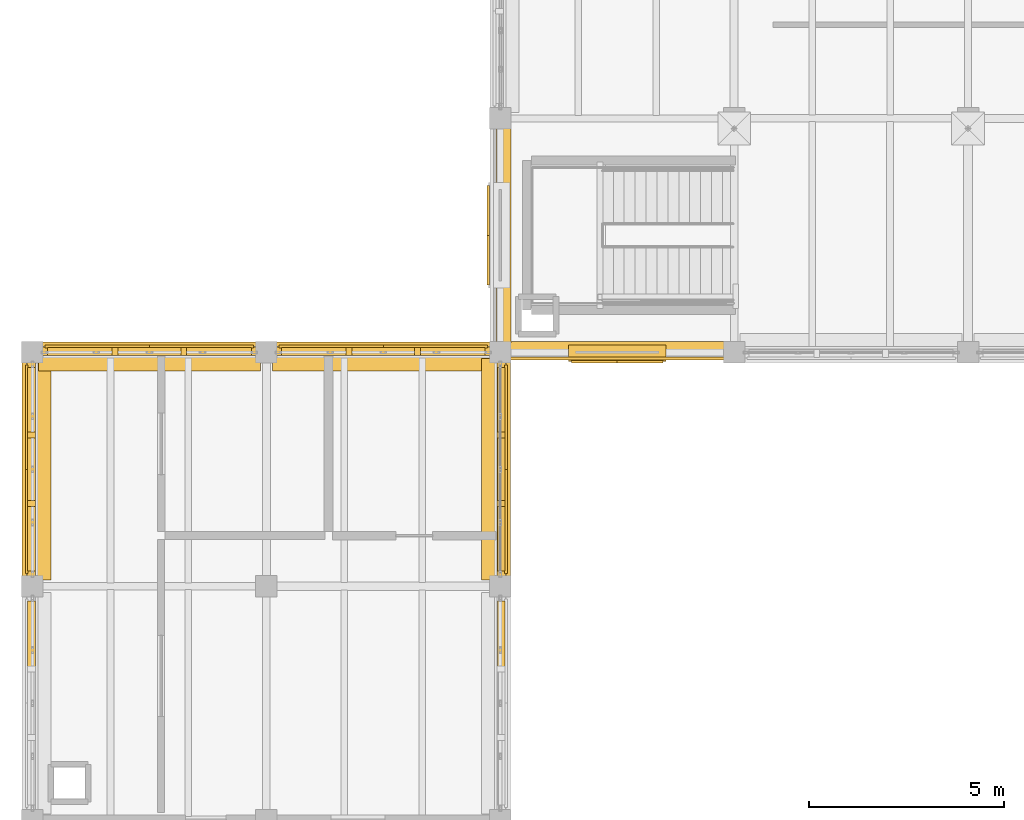
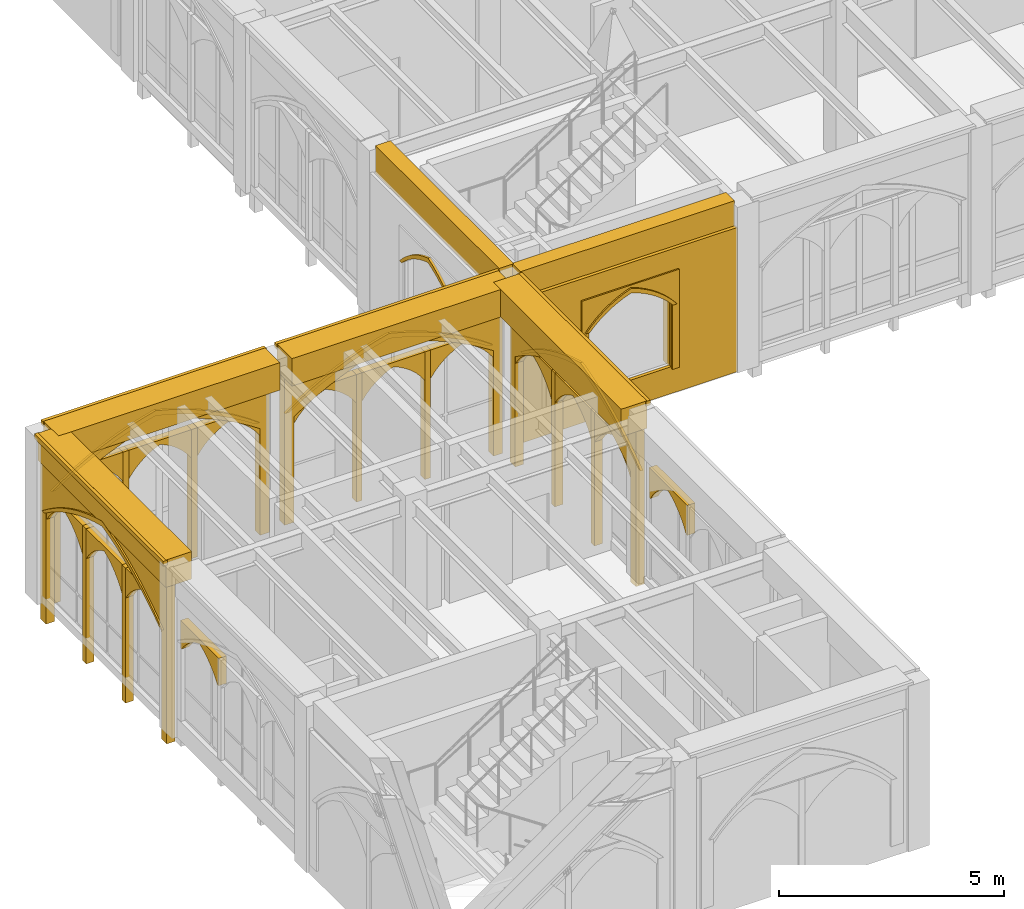
# One storey, part 89 of 108: 44 coverings.
"""IFC4 building model written with IfcOpenShell, lengths in metres."""

from ifc_helpers import new_model, si_unit, direction, frame, origin, origin_2d, place, context, subcontext, project, spatial, polyline, rectangle, outline, extrude, material, type_object, element, save


model = new_model("IFC4")

# Units and contexts
model_context = context("Model", 3, precision=1e-05, world=origin(), true_north=direction((0.0, 1.0)))
body_context = subcontext(model_context, "Body", "Model", "MODEL_VIEW")
ifc_project = project(units=[si_unit("LENGTHUNIT", "METRE"), si_unit("AREAUNIT", "SQUARE_METRE"), si_unit("VOLUMEUNIT", "CUBIC_METRE"), si_unit("PLANEANGLEUNIT", "RADIAN"), si_unit("MASSUNIT", "GRAM", prefix="KILO")], contexts=[model_context])

# Site, building, storey
site_placement = place(None, origin())
site = spatial("IfcSite", under=ifc_project, at=site_placement, CompositionType="ELEMENT")
building_placement = place(site_placement, origin())
building = spatial("IfcBuilding", under=site, at=building_placement, Name="Cumevento Cable Car Station", CompositionType="ELEMENT")
storey_placement = place(building_placement, frame((0.0, 0.0, 13.5)))
storey = spatial("IfcBuildingStorey", under=building, at=storey_placement, Name="L04", CompositionType="ELEMENT", Elevation=13.5)

# Coverings
ifc_material = material(Name="Gnaisse Facoidal Stone Ashlar 85 MPa", Category="masonry")
covering_type = type_object("IfcCoveringType", Name="Gnaisse Ashlar Cladding CV-CL01", PredefinedType="CLADDING", material=ifc_material)
covering_1_placement = place(storey_placement, frame((13.0, 44.85009765625, 3.821044921875), z_axis=(0.0, 0.0, 1.0), x_axis=(1.0, 0.0, 0.0)))
element("IfcCovering", 1, at=covering_1_placement, inside=storey, type_object=covering_type, Name="Gothic Stone Spandrel Stringcourse sc:0710", PredefinedType="CLADDING", context=body_context, shape_type="SweptSolid", body=[
    extrude(rectangle(XDim=5.68994140625, YDim=0.659912109375, at=origin_2d()), origin(), (0.0, 0.0, 1.0), 0.7470703125),
])
covering_2_placement = place(storey_placement, frame((13.0, 45.20751953125, 4.43798828125), z_axis=(0.0, 0.0, 1.0), x_axis=(1.0, 0.0, 0.0)))
element("IfcCovering", 2, at=covering_2_placement, inside=storey, type_object=covering_type, Name="Gothic Cornice Dripstone Lip sc:0710", PredefinedType="CLADDING", context=body_context, shape_type="SweptSolid", body=[
    extrude(rectangle(XDim=5.72998046875, YDim=0.114990234375, at=origin_2d()), origin(), (0.0, 0.0, 1.0), 0.1298828125),
])
covering_3_placement = place(storey_placement, frame((19.0, 44.85009765625, 3.821044921875), z_axis=(0.0, 0.0, 1.0), x_axis=(1.0, 0.0, 0.0)))
element("IfcCovering", 3, at=covering_3_placement, inside=storey, type_object=covering_type, Name="Gothic Stone Spandrel Stringcourse sc:0711", PredefinedType="CLADDING", context=body_context, shape_type="SweptSolid", body=[
    extrude(rectangle(XDim=5.68994140625, YDim=0.659912109375, at=origin_2d()), origin(), (0.0, 0.0, 1.0), 0.7470703125),
])
covering_4_placement = place(storey_placement, frame((19.0, 45.20751953125, 4.43798828125), z_axis=(0.0, 0.0, 1.0), x_axis=(1.0, 0.0, 0.0)))
element("IfcCovering", 4, at=covering_4_placement, inside=storey, type_object=covering_type, Name="Gothic Cornice Dripstone Lip sc:0711", PredefinedType="CLADDING", context=body_context, shape_type="SweptSolid", body=[
    extrude(rectangle(XDim=5.72998046875, YDim=0.114990234375, at=origin_2d()), origin(), (0.0, 0.0, 1.0), 0.1298828125),
])
covering_5_placement = place(storey_placement, frame((10.14990234375, 42.0, 3.821044921875), z_axis=(0.0, 0.0, 1.0), x_axis=(0.0, 1.0, 0.0)))
element("IfcCovering", 5, at=covering_5_placement, inside=storey, type_object=covering_type, Name="Gothic Stone Spandrel Stringcourse sc:0713", PredefinedType="CLADDING", context=body_context, shape_type="SweptSolid", body=[
    extrude(rectangle(XDim=5.68994140625, YDim=0.659912109375, at=origin_2d()), origin(), (0.0, 0.0, 1.0), 0.7470703125),
])
covering_6_placement = place(storey_placement, frame((9.79248046875, 42.0, 4.43798828125), z_axis=(0.0, 0.0, 1.0), x_axis=(0.0, 1.0, 0.0)))
element("IfcCovering", 6, at=covering_6_placement, inside=storey, type_object=covering_type, Name="Gothic Cornice Dripstone Lip sc:0713", PredefinedType="CLADDING", context=body_context, shape_type="SweptSolid", body=[
    extrude(rectangle(XDim=5.72998046875, YDim=0.114990234375, at=origin_2d()), origin(), (0.0, 0.0, 1.0), 0.1298828125),
])
covering_7_placement = place(storey_placement, frame((21.85009765625, 42.0, 3.821044921875), z_axis=(0.0, 0.0, 1.0), x_axis=(0.0, -1.0, 0.0)))
element("IfcCovering", 7, at=covering_7_placement, inside=storey, type_object=covering_type, Name="Gothic Stone Spandrel Stringcourse sc:0715", PredefinedType="CLADDING", context=body_context, shape_type="SweptSolid", body=[
    extrude(rectangle(XDim=5.68994140625, YDim=0.659912109375, at=origin_2d()), origin(), (0.0, 0.0, 1.0), 0.7470703125),
])
covering_8_placement = place(storey_placement, frame((22.20751953125, 42.0, 4.43798828125), z_axis=(0.0, 0.0, 1.0), x_axis=(0.0, -1.0, 0.0)))
element("IfcCovering", 8, at=covering_8_placement, inside=storey, type_object=covering_type, Name="Gothic Cornice Dripstone Lip sc:0715", PredefinedType="CLADDING", context=body_context, shape_type="SweptSolid", body=[
    extrude(rectangle(XDim=5.72998046875, YDim=0.114990234375, at=origin_2d()), origin(), (0.0, 0.0, 1.0), 0.1298828125),
])
for number, where, z_axis, x_axis, name in (
    (9, (25.0, 45.090087890625, 3.821044921875), (0.0, 0.0, 1.0), (-1.0, 0.0, 0.0), "Gothic Stone Spandrel Stringcourse sc:0716"),
    (10, (22.090087890625, 48.0, 3.821044921875), (0.0, 0.0, 1.0), (0.0, 1.0, 0.0), "Gothic Stone Spandrel Stringcourse sc:0724"),
):
    element("IfcCovering", number, at=place(storey_placement, frame(where, z_axis=z_axis, x_axis=x_axis)), inside=storey, type_object=covering_type, Name=name, PredefinedType="CLADDING", context=body_context, shape_type="SweptSolid", body=[
        extrude(rectangle(XDim=5.510009765625, YDim=0.3798828125, at=origin_2d()), origin(), (0.0, 0.0, 1.0), 0.7470703125),
    ])
placement_1 = place(storey_placement, frame((10.27490234375, 45.0, -0.27001953125), z_axis=(0.0, 0.0, 1.0), x_axis=(1.0, 0.0, 0.0)))
element("IfcCovering", 11, at=placement_1, inside=storey, type_object=covering_type, Name="Gothic Ogival Pointed-Arch Stone Spandrel cw_ogival:0149", PredefinedType="CLADDING", context=body_context, shape_type="SweptSolid", body=[
    extrude(outline(polyline([(-0.080078125, 0.0), (-0.080078125, 4.23095703125), (5.530029296875, 4.23095703125), (5.530029296875, 0.0), (5.2900390625, 0.0), (5.2900390625, 2.9013671875), (4.99560546875, 3.094970703125), (4.692138671875, 3.2744140625), (4.380615234375, 3.439208984375), (4.0615234375, 3.5888671875), (3.735595703125, 3.72314453125), (3.40380859375, 3.841796875), (3.066650390625, 3.944580078125), (2.72509765625, 4.031005859375), (2.38330078125, 3.944580078125), (2.046142578125, 3.841796875), (1.71435546875, 3.72314453125), (1.388427734375, 3.5888671875), (1.0693359375, 3.439208984375), (0.7578125, 3.2744140625), (0.454345703125, 3.094970703125), (0.159912109375, 2.9013671875), (0.159912109375, 0.0), (-0.080078125, 0.0)])), frame((0.0, 0.139892578125, 0.0), z_axis=(0.0, -1.0, 0.0), x_axis=(1.0, 0.0, 0.0)), (0.0, 0.0, 1.0), 0.219970703125),
])
covering_10_placement = place(storey_placement, frame((10.27490234375, 45.0, 2.63134765625), z_axis=(0.0, 0.0, 1.0), x_axis=(1.0, 0.0, 0.0)))
element("IfcCovering", 12, at=covering_10_placement, inside=storey, type_object=covering_type, Name="Gothic Pointed Archivolt Hood Moulding cw_ogival:0149", PredefinedType="CLADDING", context=body_context, shape_type="SweptSolid", body=[
    extrude(outline(polyline([(0.159912109375, 0.0), (0.454345703125, 0.193603515625), (0.7578125, 0.373046875), (1.0693359375, 0.537841796875), (1.388427734375, 0.6875), (1.71435546875, 0.82177734375), (2.046142578125, 0.9404296875), (2.38330078125, 1.043212890625), (2.72509765625, 1.129638671875), (3.066650390625, 1.043212890625), (3.40380859375, 0.9404296875), (3.735595703125, 0.82177734375), (4.0615234375, 0.6875), (4.380615234375, 0.537841796875), (4.692138671875, 0.373046875), (4.99560546875, 0.193603515625), (5.2900390625, 0.0), (5.39990234375, 0.0), (5.096923828125, 0.216552734375), (4.783203125, 0.41748046875), (4.459716796875, 0.60205078125), (4.127197265625, 0.77001953125), (3.78662109375, 0.9208984375), (3.438720703125, 1.05419921875), (3.08447265625, 1.169677734375), (2.72509765625, 1.26708984375), (2.365478515625, 1.169677734375), (2.01123046875, 1.05419921875), (1.663330078125, 0.9208984375), (1.32275390625, 0.77001953125), (0.990234375, 0.60205078125), (0.666748046875, 0.41748046875), (0.35302734375, 0.216552734375), (0.050048828125, 0.0), (0.159912109375, 0.0)])), frame((0.0, 0.181884765625, 0.0), z_axis=(0.0, -1.0, 0.0), x_axis=(1.0, 0.0, 0.0)), (0.0, 0.0, 1.0), 0.06689453125),
])
element("IfcCovering", 13, at=placement_1, inside=storey, type_object=covering_type, Name="Gothic Bifora Stone Colonnette cw_ogival:0149 #1", PredefinedType="CLADDING", context=body_context, shape_type="SweptSolid", body=[
    extrude(outline(polyline([(1.77001953125, -0.02001953125), (1.919921875, -0.02001953125), (1.919921875, 3.48876953125), (1.77001953125, 3.48876953125), (1.77001953125, -0.02001953125)])), frame((0.0, 0.1279296875, 0.0), z_axis=(0.0, -1.0, 0.0), x_axis=(1.0, 0.0, 0.0)), (0.0, 0.0, 1.0), 0.205078125),
])
element("IfcCovering", 14, at=placement_1, inside=storey, type_object=covering_type, Name="Gothic Bifora Stone Colonnette cw_ogival:0149 #2", PredefinedType="CLADDING", context=body_context, shape_type="SweptSolid", body=[
    extrude(outline(polyline([(3.530029296875, -0.02001953125), (3.679931640625, -0.02001953125), (3.679931640625, 3.48876953125), (3.530029296875, 3.48876953125), (3.530029296875, -0.02001953125)])), frame((0.0, 0.1279296875, 0.0), z_axis=(0.0, -1.0, 0.0), x_axis=(1.0, 0.0, 0.0)), (0.0, 0.0, 1.0), 0.205078125),
])
for number, where, z_axis, x_axis, name in (
    (15, (10.405029296875, 45.0, 2.451416015625), (0.0, 0.0, 1.0), (1.0, 0.0, 0.0), "Gothic Ogival Pointed-Arch Stone Spandrel cw_ogival:0149:sub:0"),
    (16, (12.1650390625, 45.0, 2.451416015625), (0.0, 0.0, 1.0), (1.0, 0.0, 0.0), "Gothic Ogival Pointed-Arch Stone Spandrel cw_ogival:0149:sub:1"),
    (17, (13.925048828125, 45.0, 2.451416015625), (0.0, 0.0, 1.0), (1.0, 0.0, 0.0), "Gothic Ogival Pointed-Arch Stone Spandrel cw_ogival:0149:sub:2"),
):
    element("IfcCovering", number, at=place(storey_placement, frame(where, z_axis=z_axis, x_axis=x_axis)), inside=storey, type_object=covering_type, Name=name, PredefinedType="CLADDING", context=body_context, shape_type="SweptSolid", body=[
        extrude(outline(polyline([(-0.02001953125, 0.0), (-0.02001953125, 0.767333984375), (1.68994140625, 0.767333984375), (1.68994140625, 0.0), (1.6298828125, 0.0), (1.5283203125, 0.140869140625), (1.412353515625, 0.270263671875), (1.28369140625, 0.38671875), (1.1435546875, 0.4892578125), (0.993408203125, 0.576416015625), (0.8349609375, 0.6474609375), (0.676513671875, 0.576416015625), (0.5263671875, 0.4892578125), (0.38623046875, 0.38671875), (0.257568359375, 0.270263671875), (0.1416015625, 0.140869140625), (0.0400390625, 0.0), (-0.02001953125, 0.0)])), frame((0.0, 0.1240234375, 0.0), z_axis=(0.0, -1.0, 0.0), x_axis=(1.0, 0.0, 0.0)), (0.0, 0.0, 1.0), 0.199951171875),
    ])
placement_2 = place(storey_placement, frame((16.27490234375, 45.0, -0.219970703125), z_axis=(0.0, 0.0, 1.0), x_axis=(1.0, 0.0, 0.0)))
element("IfcCovering", 18, at=placement_2, inside=storey, type_object=covering_type, Name="Gothic Ogival Pointed-Arch Stone Spandrel cw_ogival:0150", PredefinedType="CLADDING", context=body_context, shape_type="SweptSolid", body=[
    extrude(outline(polyline([(-0.080078125, 0.0), (-0.080078125, 4.180908203125), (5.530029296875, 4.180908203125), (5.530029296875, 0.0), (5.2900390625, 0.0), (5.2900390625, 2.869384765625), (4.99462890625, 3.06005859375), (4.69091796875, 3.23681640625), (4.37890625, 3.39892578125), (4.059814453125, 3.546142578125), (3.734130859375, 3.67822265625), (3.402587890625, 3.794921875), (3.06591796875, 3.89599609375), (2.72509765625, 3.98095703125), (2.384033203125, 3.89599609375), (2.04736328125, 3.794921875), (1.7158203125, 3.67822265625), (1.39013671875, 3.546142578125), (1.071044921875, 3.39892578125), (0.759033203125, 3.23681640625), (0.455322265625, 3.06005859375), (0.159912109375, 2.869384765625), (0.159912109375, 0.0), (-0.080078125, 0.0)])), frame((0.0, 0.139892578125, 0.0), z_axis=(0.0, -1.0, 0.0), x_axis=(1.0, 0.0, 0.0)), (0.0, 0.0, 1.0), 0.219970703125),
])
covering_14_placement = place(storey_placement, frame((16.27490234375, 45.0, 2.6494140625), z_axis=(0.0, 0.0, 1.0), x_axis=(1.0, 0.0, 0.0)))
element("IfcCovering", 19, at=covering_14_placement, inside=storey, type_object=covering_type, Name="Gothic Pointed Archivolt Hood Moulding cw_ogival:0150", PredefinedType="CLADDING", context=body_context, shape_type="SweptSolid", body=[
    extrude(outline(polyline([(0.159912109375, 0.0), (0.455322265625, 0.190673828125), (0.759033203125, 0.367431640625), (1.071044921875, 0.529541015625), (1.39013671875, 0.6767578125), (1.7158203125, 0.808837890625), (2.04736328125, 0.925537109375), (2.384033203125, 1.026611328125), (2.72509765625, 1.111572265625), (3.06591796875, 1.026611328125), (3.402587890625, 0.925537109375), (3.734130859375, 0.808837890625), (4.059814453125, 0.6767578125), (4.37890625, 0.529541015625), (4.69091796875, 0.367431640625), (4.99462890625, 0.190673828125), (5.2900390625, 0.0), (5.39990234375, 0.0), (5.095947265625, 0.213623046875), (4.78173828125, 0.41162109375), (4.4580078125, 0.59375), (4.12548828125, 0.75927734375), (3.784912109375, 0.907958984375), (3.4375, 1.03955078125), (3.083740234375, 1.1533203125), (2.72509765625, 1.2490234375), (2.3662109375, 1.1533203125), (2.012451171875, 1.03955078125), (1.6650390625, 0.907958984375), (1.324462890625, 0.75927734375), (0.991943359375, 0.59375), (0.668212890625, 0.41162109375), (0.35400390625, 0.213623046875), (0.050048828125, 0.0), (0.159912109375, 0.0)])), frame((0.0, 0.181884765625, 0.0), z_axis=(0.0, -1.0, 0.0), x_axis=(1.0, 0.0, 0.0)), (0.0, 0.0, 1.0), 0.06689453125),
])
element("IfcCovering", 20, at=placement_2, inside=storey, type_object=covering_type, Name="Gothic Bifora Stone Colonnette cw_ogival:0150 #1", PredefinedType="CLADDING", context=body_context, shape_type="SweptSolid", body=[
    extrude(outline(polyline([(1.77001953125, -0.02001953125), (1.919921875, -0.02001953125), (1.919921875, 3.447509765625), (1.77001953125, 3.447509765625), (1.77001953125, -0.02001953125)])), frame((0.0, 0.1279296875, 0.0), z_axis=(0.0, -1.0, 0.0), x_axis=(1.0, 0.0, 0.0)), (0.0, 0.0, 1.0), 0.205078125),
])
element("IfcCovering", 21, at=placement_2, inside=storey, type_object=covering_type, Name="Gothic Bifora Stone Colonnette cw_ogival:0150 #2", PredefinedType="CLADDING", context=body_context, shape_type="SweptSolid", body=[
    extrude(outline(polyline([(3.530029296875, -0.02001953125), (3.679931640625, -0.02001953125), (3.679931640625, 3.447509765625), (3.530029296875, 3.447509765625), (3.530029296875, -0.02001953125)])), frame((0.0, 0.1279296875, 0.0), z_axis=(0.0, -1.0, 0.0), x_axis=(1.0, 0.0, 0.0)), (0.0, 0.0, 1.0), 0.205078125),
])
for number, where, z_axis, x_axis, name in (
    (22, (16.405029296875, 45.0, 2.469482421875), (0.0, 0.0, 1.0), (1.0, 0.0, 0.0), "Gothic Ogival Pointed-Arch Stone Spandrel cw_ogival:0150:sub:0"),
    (23, (18.1650390625, 45.0, 2.469482421875), (0.0, 0.0, 1.0), (1.0, 0.0, 0.0), "Gothic Ogival Pointed-Arch Stone Spandrel cw_ogival:0150:sub:1"),
    (24, (19.925048828125, 45.0, 2.469482421875), (0.0, 0.0, 1.0), (1.0, 0.0, 0.0), "Gothic Ogival Pointed-Arch Stone Spandrel cw_ogival:0150:sub:2"),
):
    element("IfcCovering", number, at=place(storey_placement, frame(where, z_axis=z_axis, x_axis=x_axis)), inside=storey, type_object=covering_type, Name=name, PredefinedType="CLADDING", context=body_context, shape_type="SweptSolid", body=[
        extrude(outline(polyline([(-0.02001953125, 0.0), (-0.02001953125, 0.758056640625), (1.68994140625, 0.758056640625), (1.68994140625, 0.0), (1.6298828125, 0.0), (1.527587890625, 0.138916015625), (1.411376953125, 0.2666015625), (1.282470703125, 0.38134765625), (1.142333984375, 0.482177734375), (0.99267578125, 0.568115234375), (0.8349609375, 0.637939453125), (0.67724609375, 0.568115234375), (0.527587890625, 0.482177734375), (0.387451171875, 0.38134765625), (0.258544921875, 0.2666015625), (0.142333984375, 0.138916015625), (0.0400390625, 0.0), (-0.02001953125, 0.0)])), frame((0.0, 0.1240234375, 0.0), z_axis=(0.0, -1.0, 0.0), x_axis=(1.0, 0.0, 0.0)), (0.0, 0.0, 1.0), 0.199951171875),
    ])
covering_17_placement = place(storey_placement, frame((10.0, 36.925048828125, 2.490966796875), z_axis=(0.0, 0.0, 1.0), x_axis=(0.0, 1.0, 0.0)))
element("IfcCovering", 25, at=covering_17_placement, inside=storey, type_object=covering_type, Name="Gothic Ogival Pointed-Arch Stone Spandrel cw_ogival:0151:sub:2", PredefinedType="CLADDING", context=body_context, shape_type="SweptSolid", body=[
    extrude(outline(polyline([(-0.02001953125, 0.0), (-0.02001953125, 0.746826171875), (1.68994140625, 0.746826171875), (1.68994140625, 0.0), (1.6298828125, 0.0), (1.526611328125, 0.13671875), (1.409912109375, 0.26220703125), (1.281005859375, 0.375), (1.14111328125, 0.473876953125), (0.991943359375, 0.558349609375), (0.8349609375, 0.626708984375), (0.677978515625, 0.558349609375), (0.52880859375, 0.473876953125), (0.388916015625, 0.375), (0.260009765625, 0.26220703125), (0.143310546875, 0.13671875), (0.0400390625, 0.0), (-0.02001953125, 0.0)])), frame((0.0, 0.1240234375, 0.0), z_axis=(0.0, -1.0, 0.0), x_axis=(1.0, 0.0, 0.0)), (0.0, 0.0, 1.0), 0.199951171875),
])
covering_18_placement = place(storey_placement, frame((22.0, 38.594970703125, 2.361328125), z_axis=(0.0, 0.0, 1.0), x_axis=(0.0, -1.0, 0.0)))
element("IfcCovering", 26, at=covering_18_placement, inside=storey, type_object=covering_type, Name="Gothic Ogival Pointed-Arch Stone Spandrel cw_ogival:0152:sub:0", PredefinedType="CLADDING", context=body_context, shape_type="SweptSolid", body=[
    extrude(outline(polyline([(-0.02001953125, 0.0), (-0.02001953125, 0.814208984375), (1.68994140625, 0.814208984375), (1.68994140625, 0.0), (1.6298828125, 0.0), (1.5322265625, 0.14990234375), (1.41845703125, 0.288330078125), (1.290283203125, 0.413330078125), (1.149169921875, 0.5234375), (0.996826171875, 0.617431640625), (0.8349609375, 0.694091796875), (0.673095703125, 0.617431640625), (0.520751953125, 0.5234375), (0.379638671875, 0.413330078125), (0.25146484375, 0.288330078125), (0.1376953125, 0.14990234375), (0.0400390625, 0.0), (-0.02001953125, 0.0)])), frame((0.0, 0.1240234375, 0.0), z_axis=(0.0, -1.0, 0.0), x_axis=(1.0, 0.0, 0.0)), (0.0, 0.0, 1.0), 0.199951171875),
])
placement_3 = place(storey_placement, frame((10.0, 39.27490234375, -0.469970703125), z_axis=(0.0, 0.0, 1.0), x_axis=(0.0, 1.0, 0.0)))
element("IfcCovering", 27, at=placement_3, inside=storey, type_object=covering_type, Name="Gothic Ogival Pointed-Arch Stone Spandrel cw_ogival:0153", PredefinedType="CLADDING", context=body_context, shape_type="SweptSolid", body=[
    extrude(outline(polyline([(-0.080078125, 0.0), (-0.080078125, 4.430908203125), (5.530029296875, 4.430908203125), (5.530029296875, 0.0), (5.2900390625, 0.0), (5.2900390625, 3.029296875), (4.998779296875, 3.235107421875), (4.697509765625, 3.42529296875), (4.386962890625, 3.6005859375), (4.068115234375, 3.760009765625), (3.74169921875, 3.90283203125), (3.408447265625, 4.029296875), (3.0693359375, 4.138916015625), (2.72509765625, 4.231201171875), (2.380615234375, 4.138916015625), (2.04150390625, 4.029296875), (1.708251953125, 3.90283203125), (1.3818359375, 3.760009765625), (1.06298828125, 3.6005859375), (0.75244140625, 3.42529296875), (0.451171875, 3.235107421875), (0.159912109375, 3.029296875), (0.159912109375, 0.0), (-0.080078125, 0.0)])), frame((0.0, 0.139892578125, 0.0), z_axis=(0.0, -1.0, 0.0), x_axis=(1.0, 0.0, 0.0)), (0.0, 0.0, 1.0), 0.219970703125),
])
covering_20_placement = place(storey_placement, frame((10.0, 39.27490234375, 2.559326171875), z_axis=(0.0, 0.0, 1.0), x_axis=(0.0, 1.0, 0.0)))
element("IfcCovering", 28, at=covering_20_placement, inside=storey, type_object=covering_type, Name="Gothic Pointed Archivolt Hood Moulding cw_ogival:0153", PredefinedType="CLADDING", context=body_context, shape_type="SweptSolid", body=[
    extrude(outline(polyline([(0.159912109375, 0.0), (0.451171875, 0.20556640625), (0.75244140625, 0.39599609375), (1.06298828125, 0.5712890625), (1.3818359375, 0.73046875), (1.708251953125, 0.87353515625), (2.04150390625, 1.0), (2.380615234375, 1.109375), (2.72509765625, 1.20166015625), (3.0693359375, 1.109375), (3.408447265625, 1.0), (3.74169921875, 0.87353515625), (4.068115234375, 0.73046875), (4.386962890625, 0.5712890625), (4.697509765625, 0.39599609375), (4.998779296875, 0.20556640625), (5.2900390625, 0.0), (5.39990234375, 0.0), (5.100341796875, 0.228271484375), (4.788818359375, 0.440185546875), (4.466552734375, 0.63525390625), (4.13427734375, 0.81298828125), (3.79296875, 0.972412109375), (3.443603515625, 1.113525390625), (3.08740234375, 1.23583984375), (2.72509765625, 1.339111328125), (2.362548828125, 1.23583984375), (2.00634765625, 1.113525390625), (1.656982421875, 0.972412109375), (1.315673828125, 0.81298828125), (0.9833984375, 0.63525390625), (0.6611328125, 0.440185546875), (0.349609375, 0.228271484375), (0.050048828125, 0.0), (0.159912109375, 0.0)])), frame((0.0, 0.181884765625, 0.0), z_axis=(0.0, -1.0, 0.0), x_axis=(1.0, 0.0, 0.0)), (0.0, 0.0, 1.0), 0.06689453125),
])
element("IfcCovering", 29, at=placement_3, inside=storey, type_object=covering_type, Name="Gothic Bifora Stone Colonnette cw_ogival:0153 #1", PredefinedType="CLADDING", context=body_context, shape_type="SweptSolid", body=[
    extrude(outline(polyline([(1.77001953125, -0.02001953125), (1.919921875, -0.02001953125), (1.919921875, 3.654296875), (1.77001953125, 3.654296875), (1.77001953125, -0.02001953125)])), frame((0.0, 0.1279296875, 0.0), z_axis=(0.0, -1.0, 0.0), x_axis=(1.0, 0.0, 0.0)), (0.0, 0.0, 1.0), 0.205078125),
])
element("IfcCovering", 30, at=placement_3, inside=storey, type_object=covering_type, Name="Gothic Bifora Stone Colonnette cw_ogival:0153 #2", PredefinedType="CLADDING", context=body_context, shape_type="SweptSolid", body=[
    extrude(outline(polyline([(3.530029296875, -0.02001953125), (3.679931640625, -0.02001953125), (3.679931640625, 3.654296875), (3.530029296875, 3.654296875), (3.530029296875, -0.02001953125)])), frame((0.0, 0.1279296875, 0.0), z_axis=(0.0, -1.0, 0.0), x_axis=(1.0, 0.0, 0.0)), (0.0, 0.0, 1.0), 0.205078125),
])
for number, where, z_axis, x_axis, name in (
    (31, (10.0, 39.405029296875, 2.37939453125), (0.0, 0.0, 1.0), (0.0, 1.0, 0.0), "Gothic Ogival Pointed-Arch Stone Spandrel cw_ogival:0153:sub:0"),
    (32, (10.0, 41.1650390625, 2.37939453125), (0.0, 0.0, 1.0), (0.0, 1.0, 0.0), "Gothic Ogival Pointed-Arch Stone Spandrel cw_ogival:0153:sub:1"),
    (33, (10.0, 42.925048828125, 2.37939453125), (0.0, 0.0, 1.0), (0.0, 1.0, 0.0), "Gothic Ogival Pointed-Arch Stone Spandrel cw_ogival:0153:sub:2"),
):
    element("IfcCovering", number, at=place(storey_placement, frame(where, z_axis=z_axis, x_axis=x_axis)), inside=storey, type_object=covering_type, Name=name, PredefinedType="CLADDING", context=body_context, shape_type="SweptSolid", body=[
        extrude(outline(polyline([(-0.02001953125, 0.0), (-0.02001953125, 0.8046875), (1.68994140625, 0.8046875), (1.68994140625, 0.0), (1.6298828125, 0.0), (1.53125, 0.148193359375), (1.417236328125, 0.28466796875), (1.288818359375, 0.407958984375), (1.14794921875, 0.5166015625), (0.99609375, 0.609130859375), (0.8349609375, 0.684814453125), (0.673828125, 0.609130859375), (0.52197265625, 0.5166015625), (0.381103515625, 0.407958984375), (0.252685546875, 0.28466796875), (0.138671875, 0.148193359375), (0.0400390625, 0.0), (-0.02001953125, 0.0)])), frame((0.0, 0.1240234375, 0.0), z_axis=(0.0, -1.0, 0.0), x_axis=(1.0, 0.0, 0.0)), (0.0, 0.0, 1.0), 0.199951171875),
    ])
placement_4 = place(storey_placement, frame((22.0, 44.72509765625, -0.419921875), z_axis=(0.0, 0.0, 1.0), x_axis=(0.0, -1.0, 0.0)))
element("IfcCovering", 34, at=placement_4, inside=storey, type_object=covering_type, Name="Gothic Ogival Pointed-Arch Stone Spandrel cw_ogival:0154", PredefinedType="CLADDING", context=body_context, shape_type="SweptSolid", body=[
    extrude(outline(polyline([(-0.080078125, 0.0), (-0.080078125, 4.381103515625), (5.530029296875, 4.381103515625), (5.530029296875, 0.0), (5.2900390625, 0.0), (5.2900390625, 2.997314453125), (4.997802734375, 3.199951171875), (4.696044921875, 3.3876953125), (4.385498046875, 3.56005859375), (4.06640625, 3.717041015625), (3.740234375, 3.85791015625), (3.4072265625, 3.982421875), (3.068603515625, 4.090087890625), (2.72509765625, 4.180908203125), (2.38134765625, 4.090087890625), (2.042724609375, 3.982421875), (1.709716796875, 3.85791015625), (1.383544921875, 3.717041015625), (1.064453125, 3.56005859375), (0.75390625, 3.3876953125), (0.4521484375, 3.199951171875), (0.159912109375, 2.997314453125), (0.159912109375, 0.0), (-0.080078125, 0.0)])), frame((0.0, 0.139892578125, 0.0), z_axis=(0.0, -1.0, 0.0), x_axis=(1.0, 0.0, 0.0)), (0.0, 0.0, 1.0), 0.219970703125),
])
covering_24_placement = place(storey_placement, frame((22.0, 44.72509765625, 2.577392578125), z_axis=(0.0, 0.0, 1.0), x_axis=(0.0, -1.0, 0.0)))
element("IfcCovering", 35, at=covering_24_placement, inside=storey, type_object=covering_type, Name="Gothic Pointed Archivolt Hood Moulding cw_ogival:0154", PredefinedType="CLADDING", context=body_context, shape_type="SweptSolid", body=[
    extrude(outline(polyline([(0.159912109375, 0.0), (0.4521484375, 0.20263671875), (0.75390625, 0.390380859375), (1.064453125, 0.562744140625), (1.383544921875, 0.7197265625), (1.709716796875, 0.860595703125), (2.042724609375, 0.985107421875), (2.38134765625, 1.0927734375), (2.72509765625, 1.18359375), (3.068603515625, 1.0927734375), (3.4072265625, 0.985107421875), (3.740234375, 0.860595703125), (4.06640625, 0.7197265625), (4.385498046875, 0.562744140625), (4.696044921875, 0.390380859375), (4.997802734375, 0.20263671875), (5.2900390625, 0.0), (5.39990234375, 0.0), (5.099365234375, 0.225341796875), (4.787353515625, 0.4345703125), (4.46484375, 0.626953125), (4.13232421875, 0.80224609375), (3.791259765625, 0.959716796875), (3.4423828125, 1.098876953125), (3.086669921875, 1.219482421875), (2.72509765625, 1.321044921875), (2.36328125, 1.219482421875), (2.007568359375, 1.098876953125), (1.65869140625, 0.959716796875), (1.317626953125, 0.80224609375), (0.985107421875, 0.626953125), (0.66259765625, 0.4345703125), (0.3505859375, 0.225341796875), (0.050048828125, 0.0), (0.159912109375, 0.0)])), frame((0.0, 0.181884765625, 0.0), z_axis=(0.0, -1.0, 0.0), x_axis=(1.0, 0.0, 0.0)), (0.0, 0.0, 1.0), 0.06689453125),
])
element("IfcCovering", 36, at=placement_4, inside=storey, type_object=covering_type, Name="Gothic Bifora Stone Colonnette cw_ogival:0154 #1", PredefinedType="CLADDING", context=body_context, shape_type="SweptSolid", body=[
    extrude(outline(polyline([(1.77001953125, -0.02001953125), (1.919921875, -0.02001953125), (1.919921875, 3.61279296875), (1.77001953125, 3.61279296875), (1.77001953125, -0.02001953125)])), frame((0.0, 0.1279296875, 0.0), z_axis=(0.0, -1.0, 0.0), x_axis=(1.0, 0.0, 0.0)), (0.0, 0.0, 1.0), 0.205078125),
])
element("IfcCovering", 37, at=placement_4, inside=storey, type_object=covering_type, Name="Gothic Bifora Stone Colonnette cw_ogival:0154 #2", PredefinedType="CLADDING", context=body_context, shape_type="SweptSolid", body=[
    extrude(outline(polyline([(3.530029296875, -0.02001953125), (3.679931640625, -0.02001953125), (3.679931640625, 3.61279296875), (3.530029296875, 3.61279296875), (3.530029296875, -0.02001953125)])), frame((0.0, 0.1279296875, 0.0), z_axis=(0.0, -1.0, 0.0), x_axis=(1.0, 0.0, 0.0)), (0.0, 0.0, 1.0), 0.205078125),
])
for number, where, z_axis, x_axis, name in (
    (38, (22.0, 44.594970703125, 2.3974609375), (0.0, 0.0, 1.0), (0.0, -1.0, 0.0), "Gothic Ogival Pointed-Arch Stone Spandrel cw_ogival:0154:sub:0"),
    (39, (22.0, 42.8349609375, 2.3974609375), (0.0, 0.0, 1.0), (0.0, -1.0, 0.0), "Gothic Ogival Pointed-Arch Stone Spandrel cw_ogival:0154:sub:1"),
    (40, (22.0, 41.074951171875, 2.3974609375), (0.0, 0.0, 1.0), (0.0, -1.0, 0.0), "Gothic Ogival Pointed-Arch Stone Spandrel cw_ogival:0154:sub:2"),
):
    element("IfcCovering", number, at=place(storey_placement, frame(where, z_axis=z_axis, x_axis=x_axis)), inside=storey, type_object=covering_type, Name=name, PredefinedType="CLADDING", context=body_context, shape_type="SweptSolid", body=[
        extrude(outline(polyline([(-0.02001953125, 0.0), (-0.02001953125, 0.79541015625), (1.68994140625, 0.79541015625), (1.68994140625, 0.0), (1.6298828125, 0.0), (1.530517578125, 0.146240234375), (1.416015625, 0.281005859375), (1.28759765625, 0.40283203125), (1.14697265625, 0.509765625), (0.995361328125, 0.60107421875), (0.8349609375, 0.675537109375), (0.674560546875, 0.60107421875), (0.52294921875, 0.509765625), (0.38232421875, 0.40283203125), (0.25390625, 0.281005859375), (0.139404296875, 0.146240234375), (0.0400390625, 0.0), (-0.02001953125, 0.0)])), frame((0.0, 0.1240234375, 0.0), z_axis=(0.0, -1.0, 0.0), x_axis=(1.0, 0.0, 0.0)), (0.0, 0.0, 1.0), 0.199951171875),
    ])
covering_27_placement = place(storey_placement, frame((27.72509765625, 45.0, 0.0), z_axis=(0.0, 0.0, 1.0), x_axis=(-1.0, 0.0, 0.0)))
element("IfcCovering", 41, at=covering_27_placement, inside=storey, type_object=covering_type, Name="Exterior Gnaisse Stone Wall Ashlar #270", PredefinedType="CLADDING", context=body_context, shape_type="SweptSolid", body=[
    extrude(outline(polyline([(-0.0400390625, -0.02001953125), (5.489990234375, -0.02001953125), (5.489990234375, 3.90087890625), (-0.0400390625, 3.90087890625), (-0.0400390625, -0.02001953125)]), holes=[polyline([(1.659912109375, 0.7099609375), (3.7900390625, 0.7099609375), (3.7900390625, 3.090087890625), (1.659912109375, 3.090087890625), (1.659912109375, 0.7099609375)])]), frame((0.0, 0.199951171875, 0.0), z_axis=(0.0, -1.0, 0.0), x_axis=(1.0, 0.0, 0.0)), (0.0, 0.0, 1.0), 0.0849609375),
])
covering_28_placement = place(storey_placement, frame((26.215087890625, 45.0, 0.64990234375), z_axis=(0.0, 0.0, 1.0), x_axis=(-1.0, 0.0, 0.0)))
element("IfcCovering", 42, at=covering_28_placement, inside=storey, type_object=covering_type, Name="Gothic Ogival Pointed-Arch Stone Spandrel op_ogival:0270:1", PredefinedType="CLADDING", context=body_context, shape_type="SweptSolid", body=[
    extrude(outline(polyline([(-0.0400390625, 0.0), (-0.0400390625, 2.669921875), (2.469970703125, 2.669921875), (2.469970703125, 0.0), (2.2900390625, 0.0), (2.2900390625, 1.778076171875), (2.162109375, 1.913818359375), (2.0244140625, 2.039306640625), (1.87744140625, 2.15380859375), (1.721923828125, 2.2568359375), (1.55908203125, 2.347412109375), (1.3896484375, 2.42529296875), (1.215087890625, 2.489990234375), (1.040283203125, 2.42529296875), (0.870849609375, 2.347412109375), (0.7080078125, 2.2568359375), (0.552490234375, 2.15380859375), (0.405517578125, 2.039306640625), (0.267822265625, 1.913818359375), (0.139892578125, 1.778076171875), (0.139892578125, 0.0), (-0.0400390625, 0.0)])), frame((0.0, 0.238037109375, 0.0), z_axis=(0.0, -1.0, 0.0), x_axis=(1.0, 0.0, 0.0)), (0.0, 0.0, 1.0), 0.429931640625),
])
covering_29_placement = place(storey_placement, frame((26.215087890625, 45.0, 2.427978515625), z_axis=(0.0, 0.0, 1.0), x_axis=(-1.0, 0.0, 0.0)))
element("IfcCovering", 43, at=covering_29_placement, inside=storey, type_object=covering_type, Name="Gothic Pointed Archivolt Hood Moulding op_ogival:0270:1", PredefinedType="CLADDING", context=body_context, shape_type="SweptSolid", body=[
    extrude(outline(polyline([(0.139892578125, 0.0), (0.267822265625, 0.1357421875), (0.405517578125, 0.26123046875), (0.552490234375, 0.375732421875), (0.7080078125, 0.478759765625), (0.870849609375, 0.5693359375), (1.040283203125, 0.647216796875), (1.215087890625, 0.7119140625), (1.3896484375, 0.647216796875), (1.55908203125, 0.5693359375), (1.721923828125, 0.478759765625), (1.87744140625, 0.375732421875), (2.0244140625, 0.26123046875), (2.162109375, 0.1357421875), (2.2900390625, 0.0), (2.388916015625, 0.0), (2.253173828125, 0.158447265625), (2.105224609375, 0.305419921875), (1.945556640625, 0.439697265625), (1.775634765625, 0.560791015625), (1.596435546875, 0.66748046875), (1.4091796875, 0.75927734375), (1.215087890625, 0.835693359375), (1.020751953125, 0.75927734375), (0.83349609375, 0.66748046875), (0.654296875, 0.560791015625), (0.484375, 0.439697265625), (0.32470703125, 0.305419921875), (0.1767578125, 0.158447265625), (0.041015625, 0.0), (0.139892578125, 0.0)])), frame((0.0, 0.280029296875, 0.0), z_axis=(0.0, -1.0, 0.0), x_axis=(1.0, 0.0, 0.0)), (0.0, 0.0, 1.0), 0.06689453125),
])
covering_30_placement = place(storey_placement, frame((22.0, 46.68505859375, 2.419921875), z_axis=(0.0, 0.0, 1.0), x_axis=(0.0, 1.0, 0.0)))
element("IfcCovering", 44, at=covering_30_placement, inside=storey, type_object=covering_type, Name="Gothic Pointed Archivolt Hood Moulding op_ogival:0272:1", PredefinedType="CLADDING", context=body_context, shape_type="SweptSolid", body=[
    extrude(outline(polyline([(0.139892578125, 0.0), (0.283203125, 0.137939453125), (0.436279296875, 0.265380859375), (0.597900390625, 0.381103515625), (0.767578125, 0.485107421875), (0.944091796875, 0.57666015625), (1.126953125, 0.655029296875), (1.31494140625, 0.719970703125), (1.5029296875, 0.655029296875), (1.685791015625, 0.57666015625), (1.8623046875, 0.485107421875), (2.031982421875, 0.381103515625), (2.193603515625, 0.265380859375), (2.3466796875, 0.137939453125), (2.489990234375, 0.0), (2.589111328125, 0.0), (2.4375, 0.160888671875), (2.274169921875, 0.3095703125), (2.099853515625, 0.4453125), (1.915771484375, 0.5673828125), (1.72265625, 0.6748046875), (1.52197265625, 0.76708984375), (1.31494140625, 0.84375), (1.10791015625, 0.76708984375), (0.9072265625, 0.6748046875), (0.714111328125, 0.5673828125), (0.530029296875, 0.4453125), (0.355712890625, 0.3095703125), (0.1923828125, 0.160888671875), (0.041015625, 0.0), (0.139892578125, 0.0)])), frame((0.0, 0.340087890625, 0.0), z_axis=(0.0, -1.0, 0.0), x_axis=(1.0, 0.0, 0.0)), (0.0, 0.0, 1.0), 0.06689453125),
])

save(model, "model.ifc")
